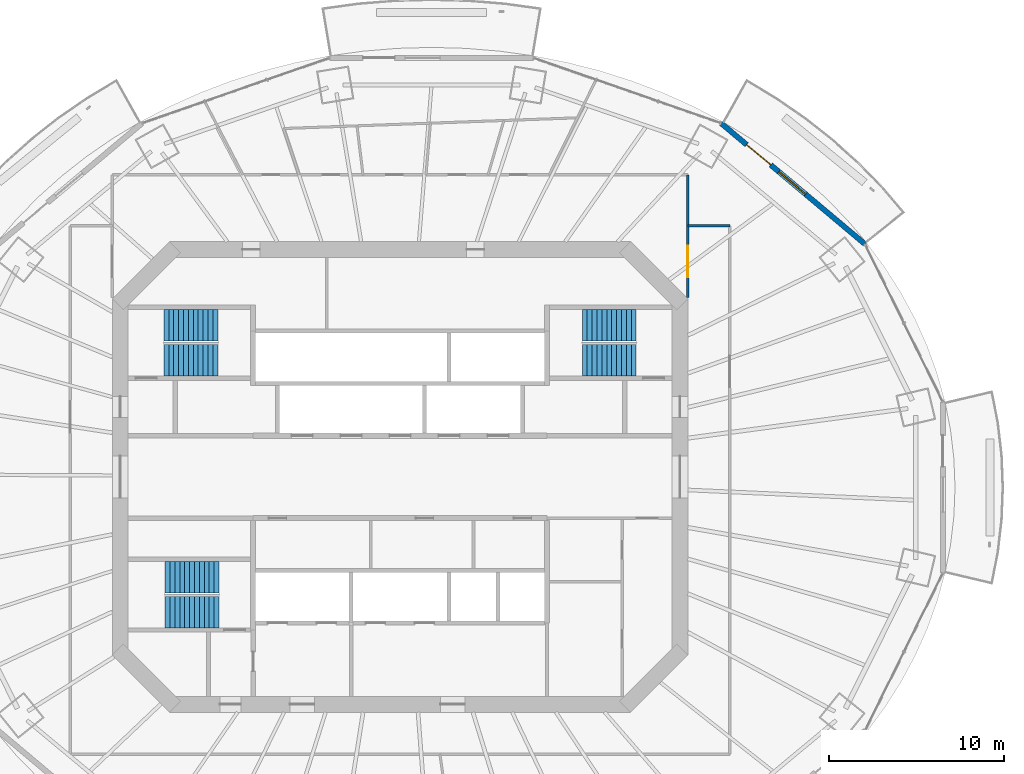
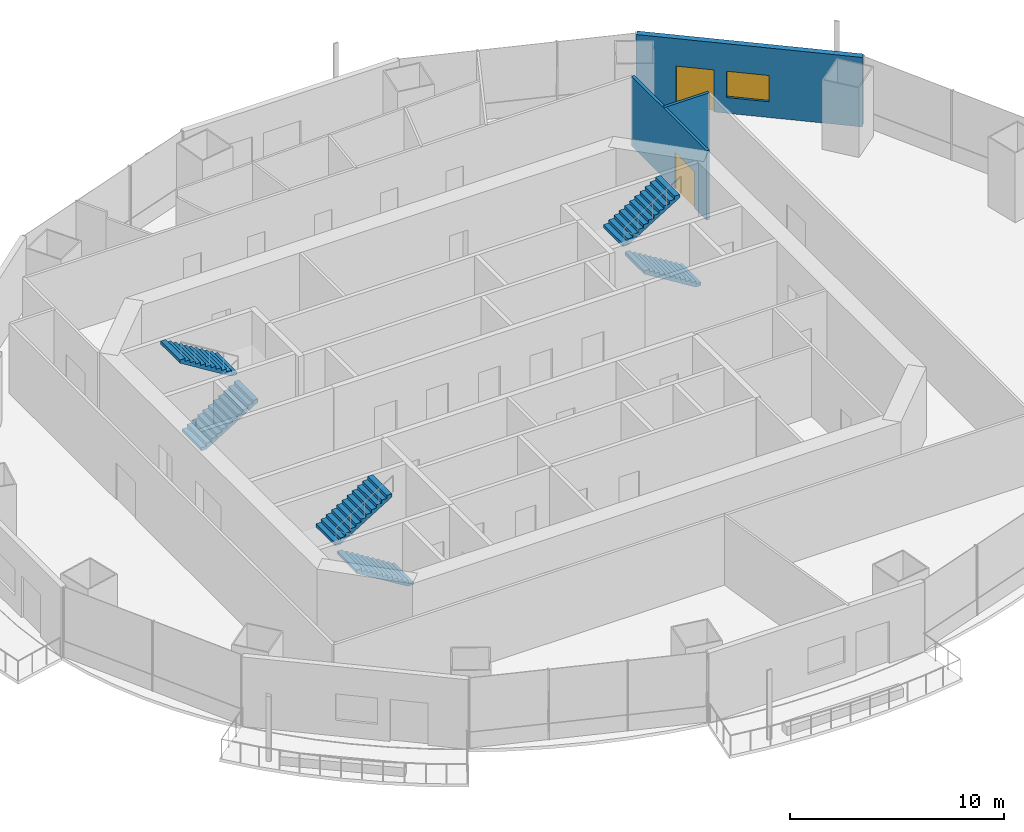
# One storey, part 13 of 19: 6 stair flights, 3 walls, 2 doors, 1 window, 3 openings, 3 elements without a shape of their own.
"""IFC4 building model written with IfcOpenShell, lengths in metres."""

import ifcopenshell
import ifcopenshell.guid

model = None  # the IFC model being written
_history = None  # IfcOwnerHistory: only IFC2X3 demands one
_inside = {}  # id of a spatial element -> (the spatial element, [elements in it])
_under = {}  # id of a project, library or spatial element -> (it, [spatial elements below it])
_declared = {}  # id of a project -> (the project, [libraries it declares])
_typed = {}  # id of a type object -> (the type object, [elements of that type])
_made_of = {}  # id of a material, layer set ... -> (it, [elements and type objects made of it])


def new_model(schema):
    """Start an empty IFC model of exactly this schema.

    Asked for "IFC4X3", IfcOpenShell would pick the latest addendum, in which some entities
    have other attributes; the version numbers below select the first issue.
    IFC2X3 requires an IfcOwnerHistory on every rooted entity: one is made here for all.
    """
    global model, _history
    if schema == "IFC4X3":
        model = ifcopenshell.file(schema_version=(4, 3, 0, 0))
    else:
        model = ifcopenshell.file(schema=schema)
    _inside.clear()
    _under.clear()
    _declared.clear()
    _typed.clear()
    _made_of.clear()
    _history = None
    if model.schema == "IFC2X3":
        org = make("IfcOrganization", Name="unknown")
        user = make(
            "IfcPersonAndOrganization",
            ThePerson=make("IfcPerson", FamilyName="unknown"),
            TheOrganization=org,
        )
        app = make(
            "IfcApplication",
            ApplicationDeveloper=org,
            Version="unknown",
            ApplicationFullName="unknown",
            ApplicationIdentifier="unknown",
        )
        _history = make(
            "IfcOwnerHistory",
            OwningUser=user,
            OwningApplication=app,
            ChangeAction="ADDED",
            CreationDate=0,
        )
    return model


def make(cls, **values):
    """One entity of the class cls with the attributes given. An attribute that is None is left unset."""
    return model.create_entity(
        cls, **{name: value for name, value in values.items() if value is not None}
    )


def rooted(cls, **values):
    """An entity with a GlobalId (a new one), such as an element, a storey or a relation."""
    return make(cls, GlobalId=ifcopenshell.guid.new(), OwnerHistory=_history, **values)


def si_unit(unit_type, name, prefix=None):
    """IfcSIUnit, for example si_unit("LENGTHUNIT", "METRE", prefix="MILLI")."""
    return make("IfcSIUnit", UnitType=unit_type, Prefix=prefix, Name=name)


def assignment(units):
    """IfcUnitAssignment: the units of a project."""
    return None if units is None else make("IfcUnitAssignment", Units=units)


def point(xyz):
    """IfcCartesianPoint."""
    return None if xyz is None else make("IfcCartesianPoint", Coordinates=xyz)


def direction(xyz):
    """IfcDirection."""
    return None if xyz is None else make("IfcDirection", DirectionRatios=xyz)


def frame(location, z_axis=None, x_axis=None):
    """IfcAxis2Placement3D, a coordinate frame: its origin and axes. An axis left out is left unset."""
    return make(
        "IfcAxis2Placement3D",
        Location=point(location),
        Axis=direction(z_axis),
        RefDirection=direction(x_axis),
    )


def frame_2d(location, x_axis=None):
    """IfcAxis2Placement2D, a coordinate frame in the plane: its origin and x axis."""
    return make(
        "IfcAxis2Placement2D", Location=point(location), RefDirection=direction(x_axis)
    )


def origin():
    """The frame at (0, 0, 0) with its axes left unset."""
    return frame((0.0, 0.0, 0.0))


def place(relative_to, where):
    """IfcLocalPlacement: puts the frame where relative to a parent placement (None: the world)."""
    return make(
        "IfcLocalPlacement", PlacementRelTo=relative_to, RelativePlacement=where
    )


def context(
    kind, dimensions, precision=None, world=None, true_north=None, identifier=None
):
    """IfcGeometricRepresentationContext, for example the 3D "Model" context."""
    return make(
        "IfcGeometricRepresentationContext",
        ContextIdentifier=identifier,
        ContextType=kind,
        CoordinateSpaceDimension=dimensions,
        Precision=precision,
        WorldCoordinateSystem=world,
        TrueNorth=true_north,
    )


def subcontext(parent, identifier, kind, view, scale=None):
    """IfcGeometricRepresentationSubContext, for example "Body" below "Model"."""
    return make(
        "IfcGeometricRepresentationSubContext",
        ContextIdentifier=identifier,
        ContextType=kind,
        ParentContext=parent,
        TargetScale=scale,
        TargetView=view,
    )


def project(units=None, contexts=None):
    """IfcProject with its units and contexts."""
    return rooted(
        "IfcProject",
        Name="project",
        RepresentationContexts=contexts,
        UnitsInContext=assignment(units),
    )


def spatial(cls, under=None, at=None, **own):
    """A site, building, storey or space (cls), placed at a placement, below another one or the project."""
    s = rooted(cls, ObjectPlacement=at, **own)
    if under is not None:
        _under.setdefault(under.id(), (under, []))[1].append(s)
    return s


def polyline(points):
    """IfcPolyline through the points."""
    return make("IfcPolyline", Points=[point(p) for p in points])


def profile(cls, at=None, kind="AREA", **sizes):
    """A parametric profile (cls). Its sizes go by their IFC names, for example OverallWidth=200.0."""
    return make(cls, ProfileType=kind, Position=at, **sizes)


def rectangle(**sizes):
    """IfcRectangleProfileDef."""
    return profile("IfcRectangleProfileDef", **sizes)


def outline(outer, holes=None, kind="AREA"):
    """IfcArbitraryClosedProfileDef: a profile drawn as a closed curve; with holes, ...WithVoids."""
    if holes is None:
        return make("IfcArbitraryClosedProfileDef", ProfileType=kind, OuterCurve=outer)
    return make(
        "IfcArbitraryProfileDefWithVoids",
        ProfileType=kind,
        OuterCurve=outer,
        InnerCurves=holes,
    )


def extrude(swept, where, along, depth):
    """IfcExtrudedAreaSolid: the profile swept, set in the frame where, extruded along a direction by depth."""
    return make(
        "IfcExtrudedAreaSolid",
        SweptArea=swept,
        Position=where,
        ExtrudedDirection=direction(along),
        Depth=depth,
    )


def shape(context_of_items, identifier, shape_type, items):
    """IfcShapeRepresentation: the items that make up one representation, for example the "Body"."""
    return make(
        "IfcShapeRepresentation",
        ContextOfItems=context_of_items,
        RepresentationIdentifier=identifier,
        RepresentationType=shape_type,
        Items=items,
    )


def material(Name=None, Category=None):
    """IfcMaterial."""
    return make("IfcMaterial", Name=Name, Category=Category)


def layer(
    of_material, thickness, ventilated=None, Name=None, Category=None, Priority=None
):
    """IfcMaterialLayer: one layer of a wall or slab, of a material (None: an air gap)."""
    return make(
        "IfcMaterialLayer",
        Material=of_material,
        LayerThickness=thickness,
        IsVentilated=ventilated,
        Name=Name,
        Category=Category,
        Priority=Priority,
    )


def layer_set(layers, Name=None):
    """IfcMaterialLayerSet."""
    return make("IfcMaterialLayerSet", MaterialLayers=layers, LayerSetName=Name)


def made_of(thing, what):
    """Note that an element or type object is made of a material, layer set ...; save() writes the relation."""
    if what is not None:
        _made_of.setdefault(what.id(), (what, []))[1].append(thing)
    return thing


def type_object(cls, material=None, **own):
    """A type object (cls), such as IfcWallType, which elements share."""
    return made_of(rooted(cls, **own), material)


def element(
    cls,
    number,
    at=None,
    inside=None,
    cuts=None,
    type_object=None,
    material=None,
    context=None,
    identifier="Body",
    shape_type=None,
    held_by="IfcProductDefinitionShape",
    body=None,
    shapes=None,
    **own,
):
    """One element of the class cls, such as IfcWall. Its Tag is "e" and its number.

    at: its placement. inside: the storey or other place that contains it. cuts: it is an
    opening in that element (IfcRelVoidsElement). A single representation is given by context,
    identifier, shape_type and body (its items); several are given by shapes. held_by: the class
    of the entity that holds the representations. save() writes the other relations.
    """
    e = rooted(cls, Tag="e%d" % number, ObjectPlacement=at, **own)
    if body is not None:
        shapes = [shape(context, identifier, shape_type, body)]
    if shapes is not None:
        e.Representation = make(held_by, Representations=shapes)
    if inside is not None:
        _inside.setdefault(inside.id(), (inside, []))[1].append(e)
    if cuts is not None:
        rooted(
            "IfcRelVoidsElement", RelatingBuildingElement=cuts, RelatedOpeningElement=e
        )
    if type_object is not None:
        _typed.setdefault(type_object.id(), (type_object, []))[1].append(e)
    return made_of(e, material)


def fill(opening, filler):
    """IfcRelFillsElement: the door or window that sits in an opening."""
    return rooted(
        "IfcRelFillsElement",
        RelatingOpeningElement=opening,
        RelatedBuildingElement=filler,
    )


def aggregate(whole, parts):
    """IfcRelAggregates: a whole, such as a stair, and the parts it consists of."""
    return rooted("IfcRelAggregates", RelatingObject=whole, RelatedObjects=parts)


def save(model, path):
    """Write the relations noted so far, then the file.

    IfcRelAggregates (storeys below a building ...), IfcRelContainedInSpatialStructure (elements
    in a storey), IfcRelDefinesByType, IfcRelAssociatesMaterial and IfcRelDeclares: one each for
    every whole, place, type object, material and project.
    """
    for whole, parts in _under.values():
        aggregate(whole, parts)
    for where, things in _inside.values():
        rooted(
            "IfcRelContainedInSpatialStructure",
            RelatedElements=things,
            RelatingStructure=where,
        )
    for kind, things in _typed.values():
        rooted("IfcRelDefinesByType", RelatedObjects=things, RelatingType=kind)
    for what, things in _made_of.values():
        rooted("IfcRelAssociatesMaterial", RelatedObjects=things, RelatingMaterial=what)
    for by, libraries in _declared.values():
        rooted("IfcRelDeclares", RelatingContext=by, RelatedDefinitions=libraries)
    model.write(path)


model = new_model("IFC4")

# Units and contexts
model_context = context("Model", 3, precision=1e-05, world=origin(), true_north=direction((0.0, 1.0)))
body_context = subcontext(model_context, "Body", "Model", "MODEL_VIEW")
ifc_project = project(units=[si_unit("LENGTHUNIT", "METRE"), si_unit("AREAUNIT", "SQUARE_METRE"), si_unit("VOLUMEUNIT", "CUBIC_METRE"), si_unit("PLANEANGLEUNIT", "RADIAN"), si_unit("MASSUNIT", "GRAM", prefix="KILO")], contexts=[model_context])

# Site, building, storey
site_placement = place(None, origin())
site = spatial("IfcSite", under=ifc_project, at=site_placement, CompositionType="ELEMENT")
building_placement = place(site_placement, origin())
building = spatial("IfcBuilding", under=site, at=building_placement, Name="Marenthal Gate Tower", CompositionType="ELEMENT")
storey_placement = place(building_placement, frame((0.0, 0.0, 248.199951171875)))
storey = spatial("IfcBuildingStorey", under=building, at=storey_placement, Name="L55", CompositionType="ELEMENT", Elevation=248.199951171875)

# Wall, opening, door
ifc_material_1 = material(Name="Gypsum board on steel studs", Category="steel")
ifc_layer_1 = layer(ifc_material_1, 0.14990234375)
ifc_layer_set_1 = layer_set([ifc_layer_1], Name="Partition 150")
wall_type_1 = type_object("IfcWallType", Name="Partition 150", PredefinedType="PARTITIONING", material=ifc_layer_set_1)
wall_1_placement = place(storey_placement, frame((16.449951171875, 10.25, 0.0), z_axis=(0.0, 0.0, 1.0), x_axis=(0.0, 1.0, 0.0)))
wall_1 = element("IfcWall", 1, at=wall_1_placement, inside=storey, type_object=wall_type_1, Name="Partition wall 62", PredefinedType="PARTITIONING", context=body_context, shape_type="SweptSolid", body=[
    extrude(rectangle(XDim=7.017333984375, YDim=0.14990234375, at=frame_2d((3.5087890625, 0.0))), origin(), (0.0, 0.0, 1.0), 3.969970703125),
])
opening_1_placement = place(wall_1_placement, frame((1.153076171875, 0.0, 0.0)))
opening_1 = element("IfcOpeningElement", 2, at=opening_1_placement, cuts=wall_1, Name="Opening D014.04", PredefinedType="OPENING", context=body_context, shape_type="SweptSolid", body=[
    extrude(rectangle(XDim=1.800048828125, YDim=2.10009765625, at=frame_2d((0.89990234375, 1.050048828125))), frame((0.0, 0.0849609375, 0.0), z_axis=(0.0, -1.0, 0.0), x_axis=(1.0, 0.0, 0.0)), (0.0, 0.0, 1.0), 0.169921875),
])
ifc_material_2 = material(Name="Timber door", Category="wood")
door_type_1 = type_object("IfcDoorType", Name="Double door 1800 x 2100", OperationType="DOUBLE_DOOR_SINGLE_SWING", PredefinedType="DOOR", material=ifc_material_2)
door_1_placement = place(opening_1_placement, origin())
door_1 = element("IfcDoor", 3, at=door_1_placement, inside=storey, type_object=door_type_1, Name="Door D014.04", OperationType="DOUBLE_DOOR_SINGLE_SWING", OverallHeight=2.10009765625, OverallWidth=1.800048828125, PredefinedType="DOOR", context=body_context, shape_type="SweptSolid", body=[
    extrude(rectangle(XDim=1.800048828125, YDim=2.10009765625, at=frame_2d((0.89990234375, 1.050048828125))), frame((0.0, 0.02490234375, 0.0), z_axis=(0.0, -1.0, 0.0), x_axis=(1.0, 0.0, 0.0)), (0.0, 0.0, 1.0), 0.050048828125),
])
fill(opening_1, door_1)

# Wall
wall_2_placement = place(storey_placement, frame((16.449951171875, 14.357177734375, 0.0), z_axis=(0.0, 0.0, 1.0), x_axis=(1.0, 0.0, 0.0)))
element("IfcWall", 4, at=wall_2_placement, inside=storey, type_object=wall_type_1, Name="Partition wall 63", PredefinedType="PARTITIONING", context=body_context, shape_type="SweptSolid", body=[
    extrude(rectangle(XDim=2.400146484375, YDim=0.14990234375, at=frame_2d((1.2001953125, 0.0))), origin(), (0.0, 0.0, 1.0), 3.969970703125),
])

# Wall, openings, door, window
ifc_material_3 = material(Name="Terracotta cladding on insulated concrete-block backing", Category="masonry")
ifc_layer_2 = layer(ifc_material_3, 0.300048828125)
ifc_layer_set_2 = layer_set([ifc_layer_2], Name="Terracotta facade wall 300")
wall_type_2 = type_object("IfcWallType", Name="Terracotta facade wall 300", PredefinedType="SOLIDWALL", material=ifc_layer_set_2)
wall_3_placement = place(storey_placement, frame((26.580322265625, 13.30810546875, 0.0), z_axis=(0.0, 0.0, 1.0), x_axis=(-0.765707104139, 0.643189420522, 0.0)))
wall_3 = element("IfcWall", 5, at=wall_3_placement, inside=storey, type_object=wall_type_2, Name="Terracotta facade wall L55 bay 2", PredefinedType="SOLIDWALL", context=body_context, shape_type="SweptSolid", body=[
    extrude(rectangle(XDim=10.738525390625, YDim=0.300048828125, at=frame_2d((5.369140625, 0.0))), origin(), (0.0, 0.0, 1.0), 3.969970703125),
])
opening_2_placement = place(wall_3_placement, frame((7.03857421875, 0.0, 0.0)))
opening_2 = element("IfcOpeningElement", 6, at=opening_2_placement, cuts=wall_3, Name="Opening BD-L55-02", PredefinedType="OPENING", context=body_context, shape_type="SweptSolid", body=[
    extrude(rectangle(XDim=1.800048828125, YDim=2.39990234375, at=frame_2d((0.89990234375, 1.199951171875))), frame((0.0, 0.16015625, 0.0), z_axis=(0.0, -1.0, 0.0), x_axis=(1.0, 0.0, 0.0)), (0.0, 0.0, 1.0), 0.320068359375),
])
opening_3_placement = place(wall_3_placement, frame((4.4384765625, 0.0, 0.89990234375)))
opening_3 = element("IfcOpeningElement", 7, at=opening_3_placement, cuts=wall_3, Name="Opening WN2-L55-02", PredefinedType="OPENING", context=body_context, shape_type="SweptSolid", body=[
    extrude(rectangle(XDim=2.0, YDim=1.5, at=frame_2d((1.0, 0.75))), frame((0.0, 0.16015625, 0.0), z_axis=(0.0, -1.0, 0.0), x_axis=(1.0, 0.0, 0.0)), (0.0, 0.0, 1.0), 0.320068359375),
])
ifc_material_4 = material(Name="Aluminium and glass", Category="aluminium")
door_type_2 = type_object("IfcDoorType", Name="Balcony door 1800x2400", OperationType="DOUBLE_DOOR_SINGLE_SWING", PredefinedType="DOOR", material=ifc_material_4)
door_2_placement = place(opening_2_placement, origin())
door_2 = element("IfcDoor", 8, at=door_2_placement, inside=storey, type_object=door_type_2, Name="Balcony door L55 bay 2", OperationType="SINGLE_SWING_LEFT", OverallHeight=2.39990234375, OverallWidth=1.800048828125, PredefinedType="DOOR", context=body_context, shape_type="SweptSolid", body=[
    extrude(rectangle(XDim=1.800048828125, YDim=2.39990234375, at=frame_2d((0.89990234375, 1.199951171875))), frame((0.0, 0.02490234375, 0.0), z_axis=(0.0, -1.0, 0.0), x_axis=(1.0, 0.0, 0.0)), (0.0, 0.0, 1.0), 0.050048828125),
])
fill(opening_2, door_2)
ifc_material_5 = material(Name="Aluminium and glass", Category="aluminium")
window_type = type_object("IfcWindowType", Name="Window 2000x1500", PartitioningType="DOUBLE_PANEL_VERTICAL", PredefinedType="WINDOW", material=ifc_material_5)
window_placement = place(opening_3_placement, origin())
window = element("IfcWindow", 9, at=window_placement, inside=storey, type_object=window_type, Name="Window L55 bay 2", OverallHeight=1.5, OverallWidth=2.0, PartitioningType="SINGLE_PANEL", PredefinedType="WINDOW", context=body_context, shape_type="SweptSolid", body=[
    extrude(rectangle(XDim=2.0, YDim=1.5, at=frame_2d((1.0, 0.75))), frame((0.0, 0.030029296875, 0.0), z_axis=(0.0, -1.0, 0.0), x_axis=(1.0, 0.0, 0.0)), (0.0, 0.0, 1.0), 0.06005859375),
])
fill(opening_3, window)

# Stair, stair flights
ifc_material_6 = material(Name="Concrete 40 MPa", Category="concrete")
stair_type = type_object("IfcStairType", Name="Exit stair 1800", PredefinedType="HALF_TURN_STAIR", material=ifc_material_6)
stair_1_placement = place(storey_placement, origin())
stair_1 = element("IfcStair", 10, at=stair_1_placement, inside=storey, type_object=stair_type, Name="Stair ST1", PredefinedType="HALF_TURN_STAIR")
ifc_material_7 = material(Name="Concrete 40 MPa", Category="concrete")
stair_flight_type = type_object("IfcStairFlightType", Name="Stair flight 1800", PredefinedType="STRAIGHT", material=ifc_material_7)
stair_flight_1_placement = place(storey_placement, frame((-13.5, 6.675048828125, 0.0), z_axis=(0.0, 0.0, 1.0), x_axis=(1.0, 0.0, 0.0)))
stair_flight_1 = element("IfcStairFlight", 11, at=stair_flight_1_placement, type_object=stair_flight_type, Name="ST1 flight 1", NumberOfRisers=12, NumberOfTreads=11, PredefinedType="STRAIGHT", RiserHeight=0.172916667, TreadLength=0.28, context=body_context, shape_type="SweptSolid", body=[
    extrude(outline(polyline([(0.0, 0.0), (0.0, 0.1728515625), (0.280029296875, 0.1728515625), (0.280029296875, 0.345947265625), (0.56005859375, 0.345947265625), (0.56005859375, 0.518798828125), (0.840087890625, 0.518798828125), (0.840087890625, 0.691650390625), (1.1201171875, 0.691650390625), (1.1201171875, 0.864501953125), (1.39990234375, 0.864501953125), (1.39990234375, 1.03759765625), (1.679931640625, 1.03759765625), (1.679931640625, 1.21044921875), (1.9599609375, 1.21044921875), (1.9599609375, 1.38330078125), (2.239990234375, 1.38330078125), (2.239990234375, 1.55615234375), (2.52001953125, 1.55615234375), (2.52001953125, 1.729248046875), (2.800048828125, 1.729248046875), (2.800048828125, 1.902099609375), (3.080078125, 1.902099609375), (3.080078125, 2.074951171875), (3.080078125, 1.725830078125), (0.285400390625, 0.0), (0.0, 0.0)])), frame((0.0, 0.89990234375, 0.0), z_axis=(0.0, -1.0, 0.0), x_axis=(1.0, 0.0, 0.0)), (0.0, 0.0, 1.0), 1.800048828125),
])
stair_flight_2_placement = place(storey_placement, frame((-10.419921875, 8.675048828125, 2.074951171875), z_axis=(0.0, 0.0, 1.0), x_axis=(-1.0, 0.0, 0.0)))
stair_flight_2 = element("IfcStairFlight", 12, at=stair_flight_2_placement, type_object=stair_flight_type, Name="ST1 flight 2", NumberOfRisers=12, NumberOfTreads=11, PredefinedType="STRAIGHT", RiserHeight=0.172916667, TreadLength=0.28, context=body_context, shape_type="SweptSolid", body=[
    extrude(outline(polyline([(0.0, 0.0), (0.0, 0.1728515625), (0.280029296875, 0.1728515625), (0.280029296875, 0.345947265625), (0.56005859375, 0.345947265625), (0.56005859375, 0.518798828125), (0.840087890625, 0.518798828125), (0.840087890625, 0.691650390625), (1.1201171875, 0.691650390625), (1.1201171875, 0.864501953125), (1.39990234375, 0.864501953125), (1.39990234375, 1.03759765625), (1.679931640625, 1.03759765625), (1.679931640625, 1.21044921875), (1.9599609375, 1.21044921875), (1.9599609375, 1.38330078125), (2.239990234375, 1.38330078125), (2.239990234375, 1.55615234375), (2.52001953125, 1.55615234375), (2.52001953125, 1.729248046875), (2.800048828125, 1.729248046875), (2.800048828125, 1.902099609375), (3.080078125, 1.902099609375), (3.080078125, 2.074951171875), (3.080078125, 1.725830078125), (0.285400390625, 0.0), (0.0, 0.0)])), frame((0.0, 0.89990234375, 0.0), z_axis=(0.0, -1.0, 0.0), x_axis=(1.0, 0.0, 0.0)), (0.0, 0.0, 1.0), 1.800048828125),
])
aggregate(stair_1, [stair_flight_1, stair_flight_2])

stair_2_placement = place(storey_placement, origin())
stair_2 = element("IfcStair", 13, at=stair_2_placement, inside=storey, type_object=stair_type, Name="Stair ST2", PredefinedType="HALF_TURN_STAIR")
stair_flight_3_placement = place(storey_placement, frame((-10.35009765625, -7.72509765625, 0.0), z_axis=(0.0, 0.0, 1.0), x_axis=(-1.0, 0.0, 0.0)))
stair_flight_3 = element("IfcStairFlight", 14, at=stair_flight_3_placement, type_object=stair_flight_type, Name="ST2 flight 1", NumberOfRisers=12, NumberOfTreads=11, PredefinedType="STRAIGHT", RiserHeight=0.172916667, TreadLength=0.28, context=body_context, shape_type="SweptSolid", body=[
    extrude(outline(polyline([(0.0, 0.0), (0.0, 0.1728515625), (0.280029296875, 0.1728515625), (0.280029296875, 0.345947265625), (0.56005859375, 0.345947265625), (0.56005859375, 0.518798828125), (0.840087890625, 0.518798828125), (0.840087890625, 0.691650390625), (1.1201171875, 0.691650390625), (1.1201171875, 0.864501953125), (1.39990234375, 0.864501953125), (1.39990234375, 1.03759765625), (1.679931640625, 1.03759765625), (1.679931640625, 1.21044921875), (1.9599609375, 1.21044921875), (1.9599609375, 1.38330078125), (2.239990234375, 1.38330078125), (2.239990234375, 1.55615234375), (2.52001953125, 1.55615234375), (2.52001953125, 1.729248046875), (2.800048828125, 1.729248046875), (2.800048828125, 1.902099609375), (3.080078125, 1.902099609375), (3.080078125, 2.074951171875), (3.080078125, 1.725830078125), (0.285400390625, 0.0), (0.0, 0.0)])), frame((0.0, 0.89990234375, 0.0), z_axis=(0.0, -1.0, 0.0), x_axis=(1.0, 0.0, 0.0)), (0.0, 0.0, 1.0), 1.800048828125),
])
stair_flight_4_placement = place(storey_placement, frame((-13.429931640625, -5.72509765625, 2.074951171875), z_axis=(0.0, 0.0, 1.0), x_axis=(1.0, 0.0, 0.0)))
stair_flight_4 = element("IfcStairFlight", 15, at=stair_flight_4_placement, type_object=stair_flight_type, Name="ST2 flight 2", NumberOfRisers=12, NumberOfTreads=11, PredefinedType="STRAIGHT", RiserHeight=0.172916667, TreadLength=0.28, context=body_context, shape_type="SweptSolid", body=[
    extrude(outline(polyline([(0.0, 0.0), (0.0, 0.1728515625), (0.280029296875, 0.1728515625), (0.280029296875, 0.345947265625), (0.56005859375, 0.345947265625), (0.56005859375, 0.518798828125), (0.840087890625, 0.518798828125), (0.840087890625, 0.691650390625), (1.1201171875, 0.691650390625), (1.1201171875, 0.864501953125), (1.39990234375, 0.864501953125), (1.39990234375, 1.03759765625), (1.679931640625, 1.03759765625), (1.679931640625, 1.21044921875), (1.9599609375, 1.21044921875), (1.9599609375, 1.38330078125), (2.239990234375, 1.38330078125), (2.239990234375, 1.55615234375), (2.52001953125, 1.55615234375), (2.52001953125, 1.729248046875), (2.800048828125, 1.729248046875), (2.800048828125, 1.902099609375), (3.080078125, 1.902099609375), (3.080078125, 2.074951171875), (3.080078125, 1.725830078125), (0.285400390625, 0.0), (0.0, 0.0)])), frame((0.0, 0.89990234375, 0.0), z_axis=(0.0, -1.0, 0.0), x_axis=(1.0, 0.0, 0.0)), (0.0, 0.0, 1.0), 1.800048828125),
])
aggregate(stair_2, [stair_flight_3, stair_flight_4])

stair_3_placement = place(storey_placement, origin())
stair_3 = element("IfcStair", 16, at=stair_3_placement, inside=storey, type_object=stair_type, Name="Stair ST3", PredefinedType="HALF_TURN_STAIR")
stair_flight_5_placement = place(storey_placement, frame((13.5, 6.675048828125, 0.0), z_axis=(0.0, 0.0, 1.0), x_axis=(-1.0, 0.0, 0.0)))
stair_flight_5 = element("IfcStairFlight", 17, at=stair_flight_5_placement, type_object=stair_flight_type, Name="ST3 flight 1", NumberOfRisers=12, NumberOfTreads=11, PredefinedType="STRAIGHT", RiserHeight=0.172916667, TreadLength=0.28, context=body_context, shape_type="SweptSolid", body=[
    extrude(outline(polyline([(0.0, 0.0), (0.0, 0.1728515625), (0.280029296875, 0.1728515625), (0.280029296875, 0.345947265625), (0.56005859375, 0.345947265625), (0.56005859375, 0.518798828125), (0.840087890625, 0.518798828125), (0.840087890625, 0.691650390625), (1.1201171875, 0.691650390625), (1.1201171875, 0.864501953125), (1.39990234375, 0.864501953125), (1.39990234375, 1.03759765625), (1.679931640625, 1.03759765625), (1.679931640625, 1.21044921875), (1.9599609375, 1.21044921875), (1.9599609375, 1.38330078125), (2.239990234375, 1.38330078125), (2.239990234375, 1.55615234375), (2.52001953125, 1.55615234375), (2.52001953125, 1.729248046875), (2.800048828125, 1.729248046875), (2.800048828125, 1.902099609375), (3.080078125, 1.902099609375), (3.080078125, 2.074951171875), (3.080078125, 1.725830078125), (0.285400390625, 0.0), (0.0, 0.0)])), frame((0.0, 0.89990234375, 0.0), z_axis=(0.0, -1.0, 0.0), x_axis=(1.0, 0.0, 0.0)), (0.0, 0.0, 1.0), 1.800048828125),
])
stair_flight_6_placement = place(storey_placement, frame((10.419921875, 8.675048828125, 2.074951171875), z_axis=(0.0, 0.0, 1.0), x_axis=(1.0, 0.0, 0.0)))
stair_flight_6 = element("IfcStairFlight", 18, at=stair_flight_6_placement, type_object=stair_flight_type, Name="ST3 flight 2", NumberOfRisers=12, NumberOfTreads=11, PredefinedType="STRAIGHT", RiserHeight=0.172916667, TreadLength=0.28, context=body_context, shape_type="SweptSolid", body=[
    extrude(outline(polyline([(0.0, 0.0), (0.0, 0.1728515625), (0.280029296875, 0.1728515625), (0.280029296875, 0.345947265625), (0.56005859375, 0.345947265625), (0.56005859375, 0.518798828125), (0.840087890625, 0.518798828125), (0.840087890625, 0.691650390625), (1.1201171875, 0.691650390625), (1.1201171875, 0.864501953125), (1.39990234375, 0.864501953125), (1.39990234375, 1.03759765625), (1.679931640625, 1.03759765625), (1.679931640625, 1.21044921875), (1.9599609375, 1.21044921875), (1.9599609375, 1.38330078125), (2.239990234375, 1.38330078125), (2.239990234375, 1.55615234375), (2.52001953125, 1.55615234375), (2.52001953125, 1.729248046875), (2.800048828125, 1.729248046875), (2.800048828125, 1.902099609375), (3.080078125, 1.902099609375), (3.080078125, 2.074951171875), (3.080078125, 1.725830078125), (0.285400390625, 0.0), (0.0, 0.0)])), frame((0.0, 0.89990234375, 0.0), z_axis=(0.0, -1.0, 0.0), x_axis=(1.0, 0.0, 0.0)), (0.0, 0.0, 1.0), 1.800048828125),
])
aggregate(stair_3, [stair_flight_5, stair_flight_6])

save(model, "model.ifc")
